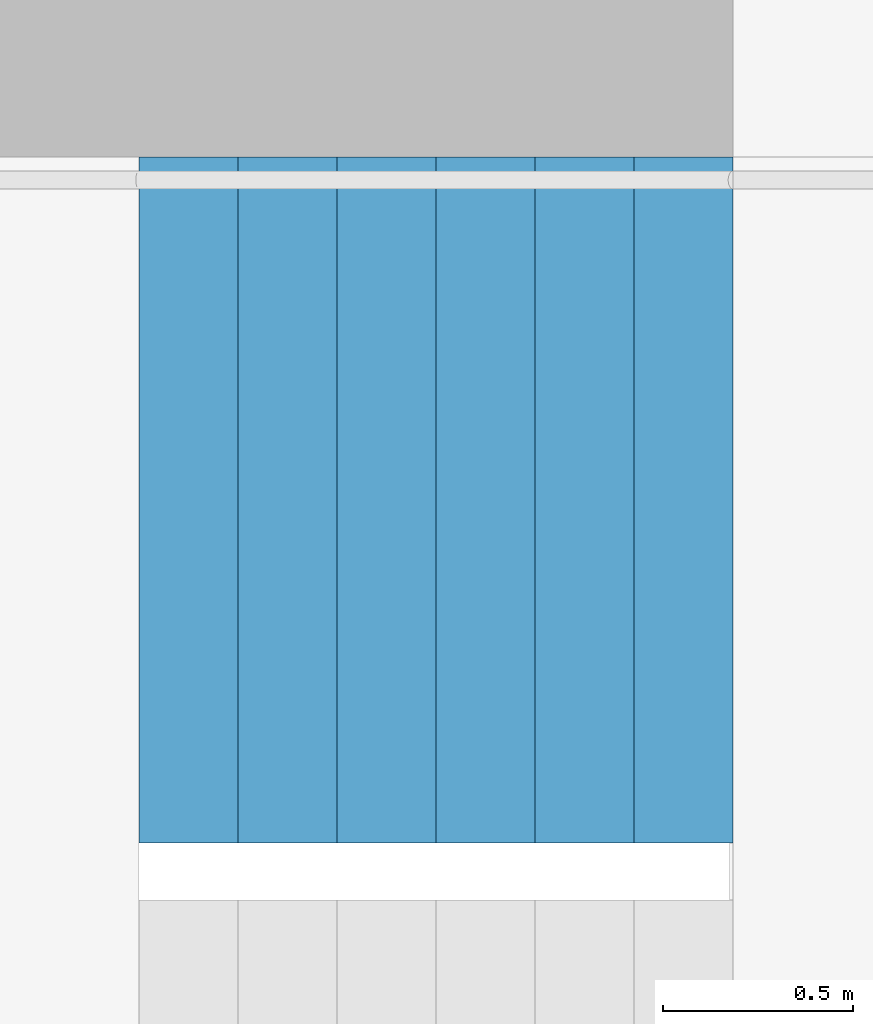
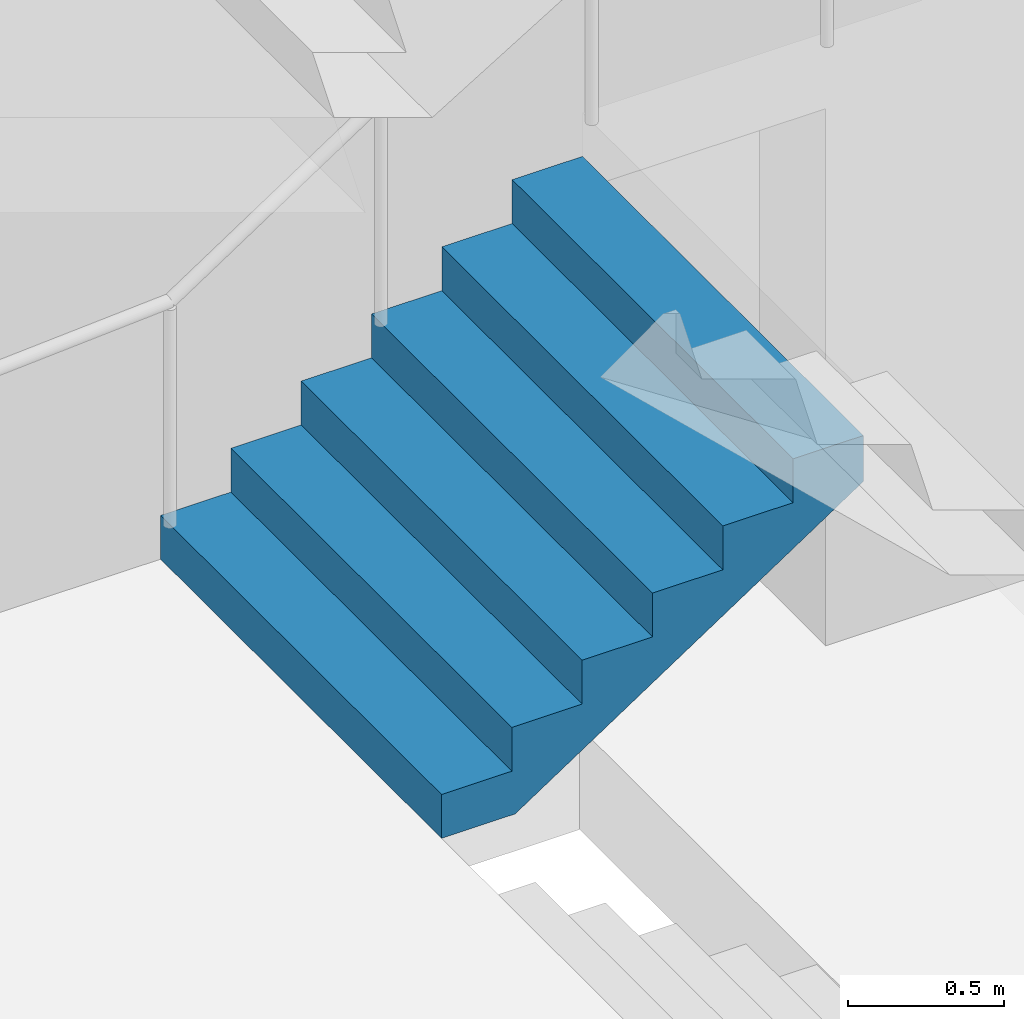
# One storey, part 41 of 53: 1 stair flight, 1 element without a shape of its own.
"""IFC4 building model written with IfcOpenShell, lengths in metres."""

from ifc_helpers import new_model, si_unit, direction, frame, origin, place, context, subcontext, project, spatial, triangles, material, type_object, element, aggregate, save


model = new_model("IFC4")

# Units and contexts
model_context = context("Model", 3, precision=1e-05, world=origin(), true_north=direction((0.0, 1.0)))
body_context = subcontext(model_context, "Body", "Model", "MODEL_VIEW")
ifc_project = project(units=[si_unit("LENGTHUNIT", "METRE"), si_unit("AREAUNIT", "SQUARE_METRE"), si_unit("VOLUMEUNIT", "CUBIC_METRE"), si_unit("PLANEANGLEUNIT", "RADIAN"), si_unit("MASSUNIT", "GRAM", prefix="KILO")], contexts=[model_context])

# Site, building, storey
site_placement = place(None, origin())
site = spatial("IfcSite", under=ifc_project, at=site_placement, CompositionType="ELEMENT")
building_placement = place(site_placement, origin())
building = spatial("IfcBuilding", under=site, at=building_placement, Name="Hakoniwa Tower and Hamabe Station Hall", CompositionType="ELEMENT")
storey_placement = place(building_placement, frame((0.0, 0.0, 15.0)))
storey = spatial("IfcBuildingStorey", under=building, at=storey_placement, Name="L03", CompositionType="ELEMENT", Elevation=15.0)

# Stair, stair flight
ifc_material_1 = material(Name="Concrete C40", Category="concrete")
stair_type = type_object("IfcStairType", Name="ESCAPE STAIR 1800", PredefinedType="HALF_TURN_STAIR", material=ifc_material_1)
stair_placement = place(storey_placement, origin())
stair = element("IfcStair", 1, at=stair_placement, inside=storey, type_object=stair_type, Name="Escape stair ST-3 L03", PredefinedType="HALF_TURN_STAIR")
ifc_material_2 = material(Name="Concrete C40", Category="concrete")
stair_flight_type = type_object("IfcStairFlightType", Name="STAIR FLIGHT 1800", PredefinedType="STRAIGHT", material=ifc_material_2)
stair_flight_placement = place(storey_placement, frame((22.840087890625, 6.60009765625, 1.199951171875), z_axis=(0.0, 0.0, 1.0), x_axis=(1.0, 0.0, 0.0)))
stair_flight = element("IfcStairFlight", 2, at=stair_flight_placement, type_object=stair_flight_type, Name="ST-3 flight 2", NumberOfRisers=7, NumberOfTreads=6, PredefinedType="STRAIGHT", RiserHeight=0.171428571, TreadLength=0.26, context=body_context, shape_type="Tessellation", body=[
    triangles([(0.0, 0.89990234375, 0.0), (0.260009765625, 0.89990234375, 0.0), (0.272216796875, 0.89990234375, 0.0), (0.52001953125, 0.89990234375, 0.163330078125), (0.780029296875, 0.89990234375, 0.334716796875), (1.0400390625, 0.89990234375, 0.506103515625), (1.300048828125, 0.89990234375, 0.677490234375), (1.56005859375, 0.89990234375, 0.84912109375), (1.56005859375, 0.89990234375, 1.028564453125), (1.300048828125, 0.89990234375, 1.028564453125), (1.300048828125, 0.89990234375, 0.857177734375), (1.0400390625, 0.89990234375, 0.857177734375), (1.0400390625, 0.89990234375, 0.685791015625), (0.780029296875, 0.89990234375, 0.685791015625), (0.780029296875, 0.89990234375, 0.514404296875), (0.52001953125, 0.89990234375, 0.514404296875), (0.52001953125, 0.89990234375, 0.3427734375), (0.272216796875, 0.89990234375, 0.3427734375), (0.260009765625, 0.89990234375, 0.3427734375), (0.260009765625, 0.89990234375, 0.17138671875), (0.0, 0.89990234375, 0.17138671875), (0.0, 0.06005859375, 0.0), (0.260009765625, 0.06005859375, 0.0), (0.272216796875, 0.06005859375, 0.0), (0.52001953125, 0.06005859375, 0.163330078125), (0.780029296875, 0.06005859375, 0.334716796875), (1.0400390625, 0.06005859375, 0.506103515625), (1.300048828125, 0.06005859375, 0.677490234375), (1.56005859375, 0.06005859375, 0.84912109375), (1.56005859375, 0.06005859375, 1.028564453125), (1.300048828125, 0.06005859375, 1.028564453125), (1.300048828125, 0.06005859375, 0.857177734375), (1.0400390625, 0.06005859375, 0.857177734375), (1.0400390625, 0.06005859375, 0.685791015625), (0.780029296875, 0.06005859375, 0.685791015625), (0.780029296875, 0.06005859375, 0.514404296875), (0.52001953125, 0.06005859375, 0.514404296875), (0.52001953125, 0.06005859375, 0.3427734375), (0.272216796875, 0.06005859375, 0.3427734375), (0.260009765625, 0.06005859375, 0.3427734375), (0.260009765625, 0.06005859375, 0.17138671875), (0.0, 0.06005859375, 0.17138671875), (0.0, 0.049072265625, 0.0), (0.260009765625, 0.049072265625, 0.0), (0.272216796875, 0.049072265625, 0.0), (0.52001953125, 0.049072265625, 0.163330078125), (0.780029296875, 0.049072265625, 0.334716796875), (1.0400390625, 0.049072265625, 0.506103515625), (1.300048828125, 0.049072265625, 0.677490234375), (1.56005859375, 0.049072265625, 0.84912109375), (1.56005859375, 0.049072265625, 1.028564453125), (1.300048828125, 0.049072265625, 1.028564453125), (1.300048828125, 0.049072265625, 0.857177734375), (1.0400390625, 0.049072265625, 0.857177734375), (1.0400390625, 0.049072265625, 0.685791015625), (0.780029296875, 0.049072265625, 0.685791015625), (0.780029296875, 0.049072265625, 0.514404296875), (0.52001953125, 0.049072265625, 0.514404296875), (0.52001953125, 0.049072265625, 0.3427734375), (0.272216796875, 0.049072265625, 0.3427734375), (0.260009765625, 0.049072265625, 0.3427734375), (0.260009765625, 0.049072265625, 0.17138671875), (0.0, 0.049072265625, 0.17138671875), (0.0, 0.0380859375, 0.0), (0.260009765625, 0.0380859375, 0.0), (0.272216796875, 0.0380859375, 0.0), (0.52001953125, 0.0380859375, 0.163330078125), (0.780029296875, 0.0380859375, 0.334716796875), (1.0400390625, 0.0380859375, 0.506103515625), (1.300048828125, 0.0380859375, 0.677490234375), (1.56005859375, 0.0380859375, 0.84912109375), (1.56005859375, 0.0380859375, 1.028564453125), (1.300048828125, 0.0380859375, 1.028564453125), (1.300048828125, 0.0380859375, 0.857177734375), (1.0400390625, 0.0380859375, 0.857177734375), (1.0400390625, 0.0380859375, 0.685791015625), (0.780029296875, 0.0380859375, 0.685791015625), (0.780029296875, 0.0380859375, 0.514404296875), (0.52001953125, 0.0380859375, 0.514404296875), (0.52001953125, 0.0380859375, 0.3427734375), (0.272216796875, 0.0380859375, 0.3427734375), (0.260009765625, 0.0380859375, 0.3427734375), (0.260009765625, 0.0380859375, 0.17138671875), (0.0, 0.0380859375, 0.17138671875), (0.0, 0.02734375, 0.0), (0.260009765625, 0.02734375, 0.0), (0.272216796875, 0.02734375, 0.0), (0.52001953125, 0.02734375, 0.163330078125), (0.780029296875, 0.02734375, 0.334716796875), (1.0400390625, 0.02734375, 0.506103515625), (1.300048828125, 0.02734375, 0.677490234375), (1.56005859375, 0.02734375, 0.84912109375), (1.56005859375, 0.02734375, 1.028564453125), (1.300048828125, 0.02734375, 1.028564453125), (1.300048828125, 0.02734375, 0.857177734375), (1.0400390625, 0.02734375, 0.857177734375), (1.0400390625, 0.02734375, 0.685791015625), (0.780029296875, 0.02734375, 0.685791015625), (0.780029296875, 0.02734375, 0.514404296875), (0.52001953125, 0.02734375, 0.514404296875), (0.52001953125, 0.02734375, 0.3427734375), (0.272216796875, 0.02734375, 0.3427734375), (0.260009765625, 0.02734375, 0.3427734375), (0.260009765625, 0.02734375, 0.17138671875), (0.0, 0.02734375, 0.17138671875), (0.0, 0.016357421875, 0.0), (0.260009765625, 0.016357421875, 0.0), (0.272216796875, 0.016357421875, 0.0), (0.52001953125, 0.016357421875, 0.163330078125), (0.780029296875, 0.016357421875, 0.334716796875), (1.0400390625, 0.016357421875, 0.506103515625), (1.300048828125, 0.016357421875, 0.677490234375), (1.56005859375, 0.016357421875, 0.84912109375), (1.56005859375, 0.016357421875, 1.028564453125), (1.300048828125, 0.016357421875, 1.028564453125), (1.300048828125, 0.016357421875, 0.857177734375), (1.0400390625, 0.016357421875, 0.857177734375), (1.0400390625, 0.016357421875, 0.685791015625), (0.780029296875, 0.016357421875, 0.685791015625), (0.780029296875, 0.016357421875, 0.514404296875), (0.52001953125, 0.016357421875, 0.514404296875), (0.52001953125, 0.016357421875, 0.3427734375), (0.272216796875, 0.016357421875, 0.3427734375), (0.260009765625, 0.016357421875, 0.3427734375), (0.260009765625, 0.016357421875, 0.17138671875), (0.0, 0.016357421875, 0.17138671875), (0.0, 0.00537109375, 0.0), (0.260009765625, 0.00537109375, 0.0), (0.272216796875, 0.00537109375, 0.0), (0.52001953125, 0.00537109375, 0.163330078125), (0.780029296875, 0.00537109375, 0.334716796875), (1.0400390625, 0.00537109375, 0.506103515625), (1.300048828125, 0.00537109375, 0.677490234375), (1.56005859375, 0.00537109375, 0.84912109375), (1.56005859375, 0.00537109375, 1.028564453125), (1.300048828125, 0.00537109375, 1.028564453125), (1.300048828125, 0.00537109375, 0.857177734375), (1.0400390625, 0.00537109375, 0.857177734375), (1.0400390625, 0.00537109375, 0.685791015625), (0.780029296875, 0.00537109375, 0.685791015625), (0.780029296875, 0.00537109375, 0.514404296875), (0.52001953125, 0.00537109375, 0.514404296875), (0.52001953125, 0.00537109375, 0.3427734375), (0.272216796875, 0.00537109375, 0.3427734375), (0.260009765625, 0.00537109375, 0.3427734375), (0.260009765625, 0.00537109375, 0.17138671875), (0.0, 0.00537109375, 0.17138671875), (0.0, -0.00537109375, 0.0), (0.260009765625, -0.00537109375, 0.0), (0.272216796875, -0.00537109375, 0.0), (0.52001953125, -0.00537109375, 0.163330078125), (0.780029296875, -0.00537109375, 0.334716796875), (1.0400390625, -0.00537109375, 0.506103515625), (1.300048828125, -0.00537109375, 0.677490234375), (1.56005859375, -0.00537109375, 0.84912109375), (1.56005859375, -0.00537109375, 1.028564453125), (1.300048828125, -0.00537109375, 1.028564453125), (1.300048828125, -0.00537109375, 0.857177734375), (1.0400390625, -0.00537109375, 0.857177734375), (1.0400390625, -0.00537109375, 0.685791015625), (0.780029296875, -0.00537109375, 0.685791015625), (0.780029296875, -0.00537109375, 0.514404296875), (0.52001953125, -0.00537109375, 0.514404296875), (0.52001953125, -0.00537109375, 0.3427734375), (0.272216796875, -0.00537109375, 0.3427734375), (0.260009765625, -0.00537109375, 0.3427734375), (0.260009765625, -0.00537109375, 0.17138671875), (0.0, -0.00537109375, 0.17138671875), (0.0, -0.016357421875, 0.0), (0.260009765625, -0.016357421875, 0.0), (0.272216796875, -0.016357421875, 0.0), (0.52001953125, -0.016357421875, 0.163330078125), (0.780029296875, -0.016357421875, 0.334716796875), (1.0400390625, -0.016357421875, 0.506103515625), (1.300048828125, -0.016357421875, 0.677490234375), (1.56005859375, -0.016357421875, 0.84912109375), (1.56005859375, -0.016357421875, 1.028564453125), (1.300048828125, -0.016357421875, 1.028564453125), (1.300048828125, -0.016357421875, 0.857177734375), (1.0400390625, -0.016357421875, 0.857177734375), (1.0400390625, -0.016357421875, 0.685791015625), (0.780029296875, -0.016357421875, 0.685791015625), (0.780029296875, -0.016357421875, 0.514404296875), (0.52001953125, -0.016357421875, 0.514404296875), (0.52001953125, -0.016357421875, 0.3427734375), (0.272216796875, -0.016357421875, 0.3427734375), (0.260009765625, -0.016357421875, 0.3427734375), (0.260009765625, -0.016357421875, 0.17138671875), (0.0, -0.016357421875, 0.17138671875), (0.0, -0.02734375, 0.0), (0.260009765625, -0.02734375, 0.0), (0.272216796875, -0.02734375, 0.0), (0.52001953125, -0.02734375, 0.163330078125), (0.780029296875, -0.02734375, 0.334716796875), (1.0400390625, -0.02734375, 0.506103515625), (1.300048828125, -0.02734375, 0.677490234375), (1.56005859375, -0.02734375, 0.84912109375), (1.56005859375, -0.02734375, 1.028564453125), (1.300048828125, -0.02734375, 1.028564453125), (1.300048828125, -0.02734375, 0.857177734375), (1.0400390625, -0.02734375, 0.857177734375), (1.0400390625, -0.02734375, 0.685791015625), (0.780029296875, -0.02734375, 0.685791015625), (0.780029296875, -0.02734375, 0.514404296875), (0.52001953125, -0.02734375, 0.514404296875), (0.52001953125, -0.02734375, 0.3427734375), (0.272216796875, -0.02734375, 0.3427734375), (0.260009765625, -0.02734375, 0.3427734375), (0.260009765625, -0.02734375, 0.17138671875), (0.0, -0.02734375, 0.17138671875), (0.0, -0.0380859375, 0.0), (0.260009765625, -0.0380859375, 0.0), (0.272216796875, -0.0380859375, 0.0), (0.52001953125, -0.0380859375, 0.163330078125), (0.780029296875, -0.0380859375, 0.334716796875), (1.0400390625, -0.0380859375, 0.506103515625), (1.300048828125, -0.0380859375, 0.677490234375), (1.56005859375, -0.0380859375, 0.84912109375), (1.56005859375, -0.0380859375, 1.028564453125), (1.300048828125, -0.0380859375, 1.028564453125), (1.300048828125, -0.0380859375, 0.857177734375), (1.0400390625, -0.0380859375, 0.857177734375), (1.0400390625, -0.0380859375, 0.685791015625), (0.780029296875, -0.0380859375, 0.685791015625), (0.780029296875, -0.0380859375, 0.514404296875), (0.52001953125, -0.0380859375, 0.514404296875), (0.52001953125, -0.0380859375, 0.3427734375), (0.272216796875, -0.0380859375, 0.3427734375), (0.260009765625, -0.0380859375, 0.3427734375), (0.260009765625, -0.0380859375, 0.17138671875), (0.0, -0.0380859375, 0.17138671875), (0.0, -0.049072265625, 0.0), (0.260009765625, -0.049072265625, 0.0), (0.272216796875, -0.049072265625, 0.0), (0.52001953125, -0.049072265625, 0.163330078125), (0.780029296875, -0.049072265625, 0.334716796875), (1.0400390625, -0.049072265625, 0.506103515625), (1.300048828125, -0.049072265625, 0.677490234375), (1.56005859375, -0.049072265625, 0.84912109375), (1.56005859375, -0.049072265625, 1.028564453125), (1.300048828125, -0.049072265625, 1.028564453125), (1.300048828125, -0.049072265625, 0.857177734375), (1.0400390625, -0.049072265625, 0.857177734375), (1.0400390625, -0.049072265625, 0.685791015625), (0.780029296875, -0.049072265625, 0.685791015625), (0.780029296875, -0.049072265625, 0.514404296875), (0.52001953125, -0.049072265625, 0.514404296875), (0.52001953125, -0.049072265625, 0.3427734375), (0.272216796875, -0.049072265625, 0.3427734375), (0.260009765625, -0.049072265625, 0.3427734375), (0.260009765625, -0.049072265625, 0.17138671875), (0.0, -0.049072265625, 0.17138671875), (0.0, -0.06005859375, 0.0), (0.260009765625, -0.06005859375, 0.0), (0.272216796875, -0.06005859375, 0.0), (0.52001953125, -0.06005859375, 0.163330078125), (0.780029296875, -0.06005859375, 0.334716796875), (1.0400390625, -0.06005859375, 0.506103515625), (1.300048828125, -0.06005859375, 0.677490234375), (1.56005859375, -0.06005859375, 0.84912109375), (1.56005859375, -0.06005859375, 1.028564453125), (1.300048828125, -0.06005859375, 1.028564453125), (1.300048828125, -0.06005859375, 0.857177734375), (1.0400390625, -0.06005859375, 0.857177734375), (1.0400390625, -0.06005859375, 0.685791015625), (0.780029296875, -0.06005859375, 0.685791015625), (0.780029296875, -0.06005859375, 0.514404296875), (0.52001953125, -0.06005859375, 0.514404296875), (0.52001953125, -0.06005859375, 0.3427734375), (0.272216796875, -0.06005859375, 0.3427734375), (0.260009765625, -0.06005859375, 0.3427734375), (0.260009765625, -0.06005859375, 0.17138671875), (0.0, -0.06005859375, 0.17138671875), (0.0, -0.89990234375, 0.0), (0.260009765625, -0.89990234375, 0.0), (0.272216796875, -0.89990234375, 0.0), (0.52001953125, -0.89990234375, 0.163330078125), (0.780029296875, -0.89990234375, 0.334716796875), (1.0400390625, -0.89990234375, 0.506103515625), (1.300048828125, -0.89990234375, 0.677490234375), (1.56005859375, -0.89990234375, 0.84912109375), (1.56005859375, -0.89990234375, 1.028564453125), (1.300048828125, -0.89990234375, 1.028564453125), (1.300048828125, -0.89990234375, 0.857177734375), (1.0400390625, -0.89990234375, 0.857177734375), (1.0400390625, -0.89990234375, 0.685791015625), (0.780029296875, -0.89990234375, 0.685791015625), (0.780029296875, -0.89990234375, 0.514404296875), (0.52001953125, -0.89990234375, 0.514404296875), (0.52001953125, -0.89990234375, 0.3427734375), (0.272216796875, -0.89990234375, 0.3427734375), (0.260009765625, -0.89990234375, 0.3427734375), (0.260009765625, -0.89990234375, 0.17138671875), (0.0, -0.89990234375, 0.17138671875)], [[2, 21, 20], [275, 293, 294], [2, 1, 21], [275, 294, 274], [3, 19, 18], [276, 291, 292], [3, 20, 19], [276, 292, 293], [3, 2, 20], [276, 293, 275], [4, 18, 17], [277, 290, 291], [4, 3, 18], [277, 291, 276], [5, 16, 15], [278, 288, 289], [5, 17, 16], [278, 289, 290], [5, 4, 17], [278, 290, 277], [6, 14, 13], [279, 286, 287], [6, 15, 14], [279, 287, 288], [6, 5, 15], [279, 288, 278], [7, 12, 11], [280, 284, 285], [7, 13, 12], [280, 285, 286], [7, 6, 13], [280, 286, 279], [8, 10, 9], [281, 282, 283], [8, 11, 10], [281, 283, 284], [8, 7, 11], [281, 284, 280], [1, 2, 23], [1, 23, 22], [22, 23, 44], [22, 44, 43], [43, 44, 65], [43, 65, 64], [64, 65, 86], [64, 86, 85], [85, 86, 107], [85, 107, 106], [106, 107, 128], [106, 128, 127], [127, 128, 149], [127, 149, 148], [148, 149, 170], [148, 170, 169], [169, 170, 191], [169, 191, 190], [190, 191, 212], [190, 212, 211], [211, 212, 233], [211, 233, 232], [232, 233, 254], [232, 254, 253], [253, 254, 275], [253, 275, 274], [2, 3, 24], [2, 24, 23], [23, 24, 45], [23, 45, 44], [44, 45, 66], [44, 66, 65], [65, 66, 87], [65, 87, 86], [86, 87, 108], [86, 108, 107], [107, 108, 129], [107, 129, 128], [128, 129, 150], [128, 150, 149], [149, 150, 171], [149, 171, 170], [170, 171, 192], [170, 192, 191], [191, 192, 213], [191, 213, 212], [212, 213, 234], [212, 234, 233], [233, 234, 255], [233, 255, 254], [254, 255, 276], [254, 276, 275], [3, 4, 25], [3, 25, 24], [24, 25, 46], [24, 46, 45], [45, 46, 67], [45, 67, 66], [66, 67, 88], [66, 88, 87], [87, 88, 109], [87, 109, 108], [108, 109, 130], [108, 130, 129], [129, 130, 151], [129, 151, 150], [150, 151, 172], [150, 172, 171], [171, 172, 193], [171, 193, 192], [192, 193, 214], [192, 214, 213], [213, 214, 235], [213, 235, 234], [234, 235, 256], [234, 256, 255], [255, 256, 277], [255, 277, 276], [4, 5, 26], [4, 26, 25], [25, 26, 47], [25, 47, 46], [46, 47, 68], [46, 68, 67], [67, 68, 89], [67, 89, 88], [88, 89, 110], [88, 110, 109], [109, 110, 131], [109, 131, 130], [130, 131, 152], [130, 152, 151], [151, 152, 173], [151, 173, 172], [172, 173, 194], [172, 194, 193], [193, 194, 215], [193, 215, 214], [214, 215, 236], [214, 236, 235], [235, 236, 257], [235, 257, 256], [256, 257, 278], [256, 278, 277], [5, 6, 27], [5, 27, 26], [26, 27, 48], [26, 48, 47], [47, 48, 69], [47, 69, 68], [68, 69, 90], [68, 90, 89], [89, 90, 111], [89, 111, 110], [110, 111, 132], [110, 132, 131], [131, 132, 153], [131, 153, 152], [152, 153, 174], [152, 174, 173], [173, 174, 195], [173, 195, 194], [194, 195, 216], [194, 216, 215], [215, 216, 237], [215, 237, 236], [236, 237, 258], [236, 258, 257], [257, 258, 279], [257, 279, 278], [6, 7, 28], [6, 28, 27], [27, 28, 49], [27, 49, 48], [48, 49, 70], [48, 70, 69], [69, 70, 91], [69, 91, 90], [90, 91, 112], [90, 112, 111], [111, 112, 133], [111, 133, 132], [132, 133, 154], [132, 154, 153], [153, 154, 175], [153, 175, 174], [174, 175, 196], [174, 196, 195], [195, 196, 217], [195, 217, 216], [216, 217, 238], [216, 238, 237], [237, 238, 259], [237, 259, 258], [258, 259, 280], [258, 280, 279], [7, 8, 29], [7, 29, 28], [28, 29, 50], [28, 50, 49], [49, 50, 71], [49, 71, 70], [70, 71, 92], [70, 92, 91], [91, 92, 113], [91, 113, 112], [112, 113, 134], [112, 134, 133], [133, 134, 155], [133, 155, 154], [154, 155, 176], [154, 176, 175], [175, 176, 197], [175, 197, 196], [196, 197, 218], [196, 218, 217], [217, 218, 239], [217, 239, 238], [238, 239, 260], [238, 260, 259], [259, 260, 281], [259, 281, 280], [8, 9, 30], [8, 30, 29], [29, 30, 51], [29, 51, 50], [50, 51, 72], [50, 72, 71], [71, 72, 93], [71, 93, 92], [92, 93, 114], [92, 114, 113], [113, 114, 135], [113, 135, 134], [134, 135, 156], [134, 156, 155], [155, 156, 177], [155, 177, 176], [176, 177, 198], [176, 198, 197], [197, 198, 219], [197, 219, 218], [218, 219, 240], [218, 240, 239], [239, 240, 261], [239, 261, 260], [260, 261, 282], [260, 282, 281], [9, 10, 31], [9, 31, 30], [30, 31, 52], [30, 52, 51], [51, 52, 73], [51, 73, 72], [72, 73, 94], [72, 94, 93], [93, 94, 115], [93, 115, 114], [114, 115, 136], [114, 136, 135], [135, 136, 157], [135, 157, 156], [156, 157, 178], [156, 178, 177], [177, 178, 199], [177, 199, 198], [198, 199, 220], [198, 220, 219], [219, 220, 241], [219, 241, 240], [240, 241, 262], [240, 262, 261], [261, 262, 283], [261, 283, 282], [10, 11, 32], [10, 32, 31], [31, 32, 53], [31, 53, 52], [52, 53, 74], [52, 74, 73], [73, 74, 95], [73, 95, 94], [94, 95, 116], [94, 116, 115], [115, 116, 137], [115, 137, 136], [136, 137, 158], [136, 158, 157], [157, 158, 179], [157, 179, 178], [178, 179, 200], [178, 200, 199], [199, 200, 221], [199, 221, 220], [220, 221, 242], [220, 242, 241], [241, 242, 263], [241, 263, 262], [262, 263, 284], [262, 284, 283], [11, 12, 33], [11, 33, 32], [32, 33, 54], [32, 54, 53], [53, 54, 75], [53, 75, 74], [74, 75, 96], [74, 96, 95], [95, 96, 117], [95, 117, 116], [116, 117, 138], [116, 138, 137], [137, 138, 159], [137, 159, 158], [158, 159, 180], [158, 180, 179], [179, 180, 201], [179, 201, 200], [200, 201, 222], [200, 222, 221], [221, 222, 243], [221, 243, 242], [242, 243, 264], [242, 264, 263], [263, 264, 285], [263, 285, 284], [12, 13, 34], [12, 34, 33], [33, 34, 55], [33, 55, 54], [54, 55, 76], [54, 76, 75], [75, 76, 97], [75, 97, 96], [96, 97, 118], [96, 118, 117], [117, 118, 139], [117, 139, 138], [138, 139, 160], [138, 160, 159], [159, 160, 181], [159, 181, 180], [180, 181, 202], [180, 202, 201], [201, 202, 223], [201, 223, 222], [222, 223, 244], [222, 244, 243], [243, 244, 265], [243, 265, 264], [264, 265, 286], [264, 286, 285], [13, 14, 35], [13, 35, 34], [34, 35, 56], [34, 56, 55], [55, 56, 77], [55, 77, 76], [76, 77, 98], [76, 98, 97], [97, 98, 119], [97, 119, 118], [118, 119, 140], [118, 140, 139], [139, 140, 161], [139, 161, 160], [160, 161, 182], [160, 182, 181], [181, 182, 203], [181, 203, 202], [202, 203, 224], [202, 224, 223], [223, 224, 245], [223, 245, 244], [244, 245, 266], [244, 266, 265], [265, 266, 287], [265, 287, 286], [14, 15, 36], [14, 36, 35], [35, 36, 57], [35, 57, 56], [56, 57, 78], [56, 78, 77], [77, 78, 99], [77, 99, 98], [98, 99, 120], [98, 120, 119], [119, 120, 141], [119, 141, 140], [140, 141, 162], [140, 162, 161], [161, 162, 183], [161, 183, 182], [182, 183, 204], [182, 204, 203], [203, 204, 225], [203, 225, 224], [224, 225, 246], [224, 246, 245], [245, 246, 267], [245, 267, 266], [266, 267, 288], [266, 288, 287], [15, 16, 37], [15, 37, 36], [36, 37, 58], [36, 58, 57], [57, 58, 79], [57, 79, 78], [78, 79, 100], [78, 100, 99], [99, 100, 121], [99, 121, 120], [120, 121, 142], [120, 142, 141], [141, 142, 163], [141, 163, 162], [162, 163, 184], [162, 184, 183], [183, 184, 205], [183, 205, 204], [204, 205, 226], [204, 226, 225], [225, 226, 247], [225, 247, 246], [246, 247, 268], [246, 268, 267], [267, 268, 289], [267, 289, 288], [16, 17, 38], [16, 38, 37], [37, 38, 59], [37, 59, 58], [58, 59, 80], [58, 80, 79], [79, 80, 101], [79, 101, 100], [100, 101, 122], [100, 122, 121], [121, 122, 143], [121, 143, 142], [142, 143, 164], [142, 164, 163], [163, 164, 185], [163, 185, 184], [184, 185, 206], [184, 206, 205], [205, 206, 227], [205, 227, 226], [226, 227, 248], [226, 248, 247], [247, 248, 269], [247, 269, 268], [268, 269, 290], [268, 290, 289], [17, 18, 39], [17, 39, 38], [38, 39, 60], [38, 60, 59], [59, 60, 81], [59, 81, 80], [80, 81, 102], [80, 102, 101], [101, 102, 123], [101, 123, 122], [122, 123, 144], [122, 144, 143], [143, 144, 165], [143, 165, 164], [164, 165, 186], [164, 186, 185], [185, 186, 207], [185, 207, 206], [206, 207, 228], [206, 228, 227], [227, 228, 249], [227, 249, 248], [248, 249, 270], [248, 270, 269], [269, 270, 291], [269, 291, 290], [18, 19, 40], [18, 40, 39], [39, 40, 61], [39, 61, 60], [60, 61, 82], [60, 82, 81], [81, 82, 103], [81, 103, 102], [102, 103, 124], [102, 124, 123], [123, 124, 145], [123, 145, 144], [144, 145, 166], [144, 166, 165], [165, 166, 187], [165, 187, 186], [186, 187, 208], [186, 208, 207], [207, 208, 229], [207, 229, 228], [228, 229, 250], [228, 250, 249], [249, 250, 271], [249, 271, 270], [270, 271, 292], [270, 292, 291], [19, 20, 41], [19, 41, 40], [40, 41, 62], [40, 62, 61], [61, 62, 83], [61, 83, 82], [82, 83, 104], [82, 104, 103], [103, 104, 125], [103, 125, 124], [124, 125, 146], [124, 146, 145], [145, 146, 167], [145, 167, 166], [166, 167, 188], [166, 188, 187], [187, 188, 209], [187, 209, 208], [208, 209, 230], [208, 230, 229], [229, 230, 251], [229, 251, 250], [250, 251, 272], [250, 272, 271], [271, 272, 293], [271, 293, 292], [20, 21, 42], [20, 42, 41], [41, 42, 63], [41, 63, 62], [62, 63, 84], [62, 84, 83], [83, 84, 105], [83, 105, 104], [104, 105, 126], [104, 126, 125], [125, 126, 147], [125, 147, 146], [146, 147, 168], [146, 168, 167], [167, 168, 189], [167, 189, 188], [188, 189, 210], [188, 210, 209], [209, 210, 231], [209, 231, 230], [230, 231, 252], [230, 252, 251], [251, 252, 273], [251, 273, 272], [272, 273, 294], [272, 294, 293], [21, 1, 22], [21, 22, 42], [42, 22, 43], [42, 43, 63], [63, 43, 64], [63, 64, 84], [84, 64, 85], [84, 85, 105], [105, 85, 106], [105, 106, 126], [126, 106, 127], [126, 127, 147], [147, 127, 148], [147, 148, 168], [168, 148, 169], [168, 169, 189], [189, 169, 190], [189, 190, 210], [210, 190, 211], [210, 211, 231], [231, 211, 232], [231, 232, 252], [252, 232, 253], [252, 253, 273], [273, 253, 274], [273, 274, 294]], closed=True),
])
aggregate(stair, [stair_flight])

save(model, "model.ifc")
